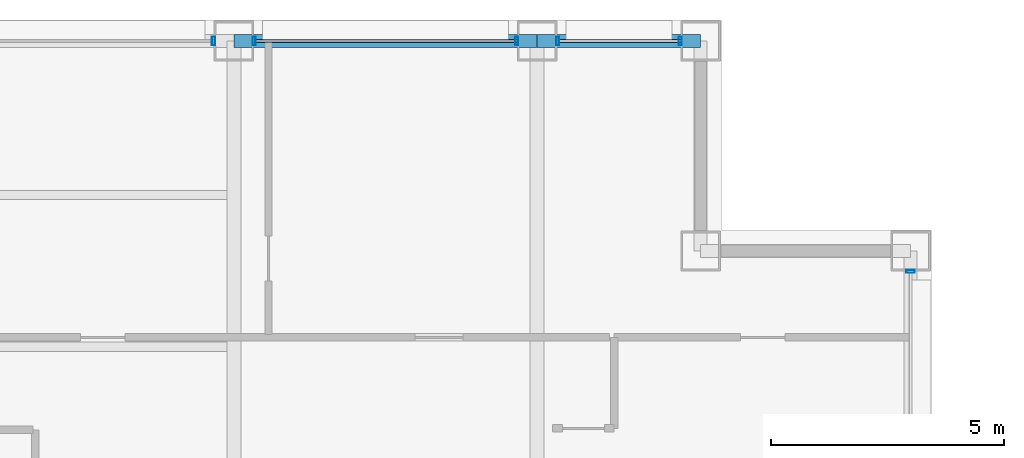
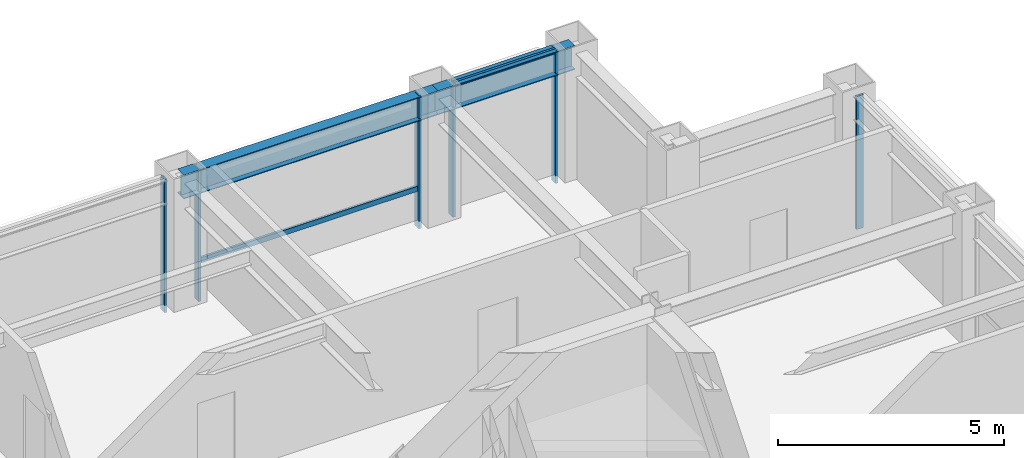
# One storey, part 23 of 31: 8 members, 2 beams, 4 elements without a shape of their own.
"""IFC4 building model written with IfcOpenShell, lengths in metres."""

from ifc_helpers import new_model, si_unit, direction, frame, origin, origin_2d, place, context, subcontext, project, spatial, hollow_rectangle, i_section, extrude, material, layer, layer_set, material_profile, profile_set, type_object, element, aggregate, save


model = new_model("IFC4")

# Units and contexts
model_context = context("Model", 3, precision=1e-05, world=origin(), true_north=direction((0.0, 1.0)))
body_context = subcontext(model_context, "Body", "Model", "MODEL_VIEW")
ifc_project = project(units=[si_unit("LENGTHUNIT", "METRE"), si_unit("AREAUNIT", "SQUARE_METRE"), si_unit("VOLUMEUNIT", "CUBIC_METRE"), si_unit("PLANEANGLEUNIT", "RADIAN"), si_unit("MASSUNIT", "GRAM", prefix="KILO")], contexts=[model_context])

# Site, building, storey
site_placement = place(None, origin())
site = spatial("IfcSite", under=ifc_project, at=site_placement, CompositionType="ELEMENT")
building_placement = place(site_placement, origin())
building = spatial("IfcBuilding", under=site, at=building_placement, Name="Brelmoor Portico Tower", CompositionType="ELEMENT")
storey_placement = place(building_placement, frame((0.0, 0.0, 106.199951171875)))
storey = spatial("IfcBuildingStorey", under=building, at=storey_placement, Name="L27", CompositionType="ELEMENT", Elevation=106.199951171875)

# Beams
ifc_material_1 = material(Name="Steel Q355B", Category="steel")
ifc_material_profile_1 = material_profile(ifc_material_1, i_section(OverallWidth=0.280029296875, OverallDepth=0.64990234375, WebThickness=0.012939453125, FlangeThickness=0.02197265625, at=origin_2d()), Name="HN 650x280x13x22")
ifc_profile_set_1 = profile_set([ifc_material_profile_1], Name="Steel Q355B")
beam_type = type_object("IfcBeamType", Name="BM-SP-650", PredefinedType="SPANDREL", material=ifc_profile_set_1)
beam_1_placement = place(storey_placement, frame((8.050048828125, 19.550048828125, 3.074951171875), z_axis=(1.0, 0.0, 0.0), x_axis=(0.0, 1.0, 0.0)))
element("IfcBeam", 1, at=beam_1_placement, inside=storey, type_object=beam_type, Name="L27 Perimeter Spandrel Beam SP-13", PredefinedType="SPANDREL", context=body_context, shape_type="SweptSolid", body=[
    extrude(i_section(OverallWidth=0.280029296875, OverallDepth=0.64990234375, WebThickness=0.012939453125, FlangeThickness=0.02197265625, at=origin_2d()), origin(), (0.0, 0.0, 1.0), 6.5),
])
beam_2_placement = place(storey_placement, frame((14.550048828125, 19.550048828125, 3.074951171875), z_axis=(1.0, 0.0, 0.0), x_axis=(0.0, 1.0, 0.0)))
element("IfcBeam", 2, at=beam_2_placement, inside=storey, type_object=beam_type, Name="L27 Perimeter Spandrel Beam SP-14", PredefinedType="SPANDREL", context=body_context, shape_type="SweptSolid", body=[
    extrude(i_section(OverallWidth=0.280029296875, OverallDepth=0.64990234375, WebThickness=0.012939453125, FlangeThickness=0.02197265625, at=origin_2d()), origin(), (0.0, 0.0, 1.0), 3.5),
])

# Curtain wall, member
ifc_material_2 = material(Name="Anodised Aluminium Alloy 6063-T6", Category="aluminium")
ifc_layer_1 = layer(ifc_material_2, 0.179931640625)
ifc_layer_set_1 = layer_set([ifc_layer_1], Name="Anodised Aluminium Alloy 6063-T6")
curtain_wall_type_1 = type_object("IfcCurtainWallType", Name="CW-TOWER-Z2-XB", PredefinedType="NOTDEFINED", material=ifc_layer_set_1)
curtain_wall_1_placement = place(storey_placement, origin())
curtain_wall_1 = element("IfcCurtainWall", 3, at=curtain_wall_1_placement, inside=storey, type_object=curtain_wall_type_1, Name="L27 Curtain Wall CW-L27-02-3", PredefinedType="NOTDEFINED")
ifc_material_profile_2 = material_profile(ifc_material_2, hollow_rectangle(XDim=0.06494140625, YDim=0.179931640625, WallThickness=0.00390625, at=origin_2d()), Name="ALU MULLION 65x180")
ifc_profile_set_2 = profile_set([ifc_material_profile_2], Name="Anodised Aluminium Alloy 6063-T6")
member_type_1 = type_object("IfcMemberType", Name="MB-CW-MULL-180", PredefinedType="MULLION", material=ifc_profile_set_2)
member_1_placement = place(storey_placement, frame((7.614990234375, 19.550048828125, -0.199951171875), z_axis=(0.0, 0.0, 1.0), x_axis=(1.0, 0.0, 0.0)))
member_1 = element("IfcMember", 4, at=member_1_placement, type_object=member_type_1, Name="CW-L27-02-3 Mullion 01", PredefinedType="MULLION", context=body_context, shape_type="SweptSolid", body=[
    extrude(hollow_rectangle(XDim=0.06494140625, YDim=0.179931640625, WallThickness=0.00390625, at=origin_2d()), origin(), (0.0, 0.0, 1.0), 3.60009765625),
])
aggregate(curtain_wall_1, [member_1])

# Curtain wall, members
ifc_layer_2 = layer(ifc_material_2, 0.179931640625)
ifc_layer_set_2 = layer_set([ifc_layer_2], Name="Anodised Aluminium Alloy 6063-T6")
curtain_wall_type_2 = type_object("IfcCurtainWallType", Name="CW-TOWER-Z2", PredefinedType="NOTDEFINED", material=ifc_layer_set_2)
curtain_wall_2_placement = place(storey_placement, origin())
curtain_wall_2 = element("IfcCurtainWall", 5, at=curtain_wall_2_placement, inside=storey, type_object=curtain_wall_type_2, Name="L27 Curtain Wall CW-L27-02-4", PredefinedType="NOTDEFINED")
member_2_placement = place(storey_placement, frame((8.485107421875, 19.550048828125, -0.199951171875), z_axis=(0.0, 0.0, 1.0), x_axis=(1.0, 0.0, 0.0)))
member_2 = element("IfcMember", 6, at=member_2_placement, type_object=member_type_1, Name="CW-L27-02-4 Mullion 00", PredefinedType="MULLION", context=body_context, shape_type="SweptSolid", body=[
    extrude(hollow_rectangle(XDim=0.06494140625, YDim=0.179931640625, WallThickness=0.00390625, at=origin_2d()), origin(), (0.0, 0.0, 1.0), 3.60009765625),
])
member_3_placement = place(storey_placement, frame((14.114990234375, 19.550048828125, -0.199951171875), z_axis=(0.0, 0.0, 1.0), x_axis=(1.0, 0.0, 0.0)))
member_3 = element("IfcMember", 7, at=member_3_placement, type_object=member_type_1, Name="CW-L27-02-4 Mullion 01", PredefinedType="MULLION", context=body_context, shape_type="SweptSolid", body=[
    extrude(hollow_rectangle(XDim=0.06494140625, YDim=0.179931640625, WallThickness=0.00390625, at=origin_2d()), origin(), (0.0, 0.0, 1.0), 3.60009765625),
])

curtain_wall_3_placement = place(storey_placement, origin())
curtain_wall_3 = element("IfcCurtainWall", 8, at=curtain_wall_3_placement, inside=storey, type_object=curtain_wall_type_1, Name="L27 Curtain Wall CW-L27-02-5", PredefinedType="NOTDEFINED")
member_4_placement = place(storey_placement, frame((14.985107421875, 19.550048828125, -0.199951171875), z_axis=(0.0, 0.0, 1.0), x_axis=(1.0, 0.0, 0.0)))
member_4 = element("IfcMember", 9, at=member_4_placement, type_object=member_type_1, Name="CW-L27-02-5 Mullion 00", PredefinedType="MULLION", context=body_context, shape_type="SweptSolid", body=[
    extrude(hollow_rectangle(XDim=0.06494140625, YDim=0.179931640625, WallThickness=0.00390625, at=origin_2d()), origin(), (0.0, 0.0, 1.0), 3.60009765625),
])
member_5_placement = place(storey_placement, frame((17.614990234375, 19.550048828125, -0.199951171875), z_axis=(0.0, 0.0, 1.0), x_axis=(1.0, 0.0, 0.0)))
member_5 = element("IfcMember", 10, at=member_5_placement, type_object=member_type_1, Name="CW-L27-02-5 Mullion 01", PredefinedType="MULLION", context=body_context, shape_type="SweptSolid", body=[
    extrude(hollow_rectangle(XDim=0.06494140625, YDim=0.179931640625, WallThickness=0.00390625, at=origin_2d()), origin(), (0.0, 0.0, 1.0), 3.60009765625),
])

# Curtain wall, member
curtain_wall_4_placement = place(storey_placement, origin())
curtain_wall_4 = element("IfcCurtainWall", 11, at=curtain_wall_4_placement, inside=storey, type_object=curtain_wall_type_1, Name="L27 Curtain Wall CW-L27-4R-2", PredefinedType="NOTDEFINED")
member_6_placement = place(storey_placement, frame((22.550048828125, 14.614990234375, -0.199951171875), z_axis=(0.0, 0.0, 1.0), x_axis=(0.0, 1.0, 0.0)))
member_6 = element("IfcMember", 12, at=member_6_placement, type_object=member_type_1, Name="CW-L27-4R-2 Mullion 01", PredefinedType="MULLION", context=body_context, shape_type="SweptSolid", body=[
    extrude(hollow_rectangle(XDim=0.06494140625, YDim=0.179931640625, WallThickness=0.00390625, at=origin_2d()), origin(), (0.0, 0.0, 1.0), 3.60009765625),
])
aggregate(curtain_wall_4, [member_6])

# Member
ifc_material_profile_3 = material_profile(ifc_material_2, hollow_rectangle(XDim=0.06494140625, YDim=0.139892578125, WallThickness=0.00390625, at=origin_2d()), Name="ALU TRANSOM 65x140")
ifc_profile_set_3 = profile_set([ifc_material_profile_3], Name="Anodised Aluminium Alloy 6063-T6")
member_type_2 = type_object("IfcMemberType", Name="MB-CW-TRAN-140", PredefinedType="USERDEFINED", material=ifc_profile_set_3)
member_7_placement = place(storey_placement, frame((8.485107421875, 19.550048828125, 0.85009765625), z_axis=(1.0, 0.0, 0.0), x_axis=(0.0, 1.0, 0.0)))
member_7 = element("IfcMember", 13, at=member_7_placement, type_object=member_type_2, Name="CW-L27-02-4 Transom 1-00", ObjectType="TRANSOM", PredefinedType="USERDEFINED", context=body_context, shape_type="SweptSolid", body=[
    extrude(hollow_rectangle(XDim=0.06494140625, YDim=0.139892578125, WallThickness=0.00390625, at=origin_2d()), origin(), (0.0, 0.0, 1.0), 5.6298828125),
])

aggregate(curtain_wall_2, [member_2, member_3, member_7])

member_8_placement = place(storey_placement, frame((14.985107421875, 19.550048828125, 3.330078125), z_axis=(1.0, 0.0, 0.0), x_axis=(0.0, 1.0, 0.0)))
member_8 = element("IfcMember", 14, at=member_8_placement, type_object=member_type_2, Name="CW-L27-02-5 Transom 1-00", ObjectType="TRANSOM", PredefinedType="USERDEFINED", context=body_context, shape_type="SweptSolid", body=[
    extrude(hollow_rectangle(XDim=0.06494140625, YDim=0.139892578125, WallThickness=0.00390625, at=origin_2d()), origin(), (0.0, 0.0, 1.0), 2.6298828125),
])

aggregate(curtain_wall_3, [member_4, member_5, member_8])

save(model, "model.ifc")
